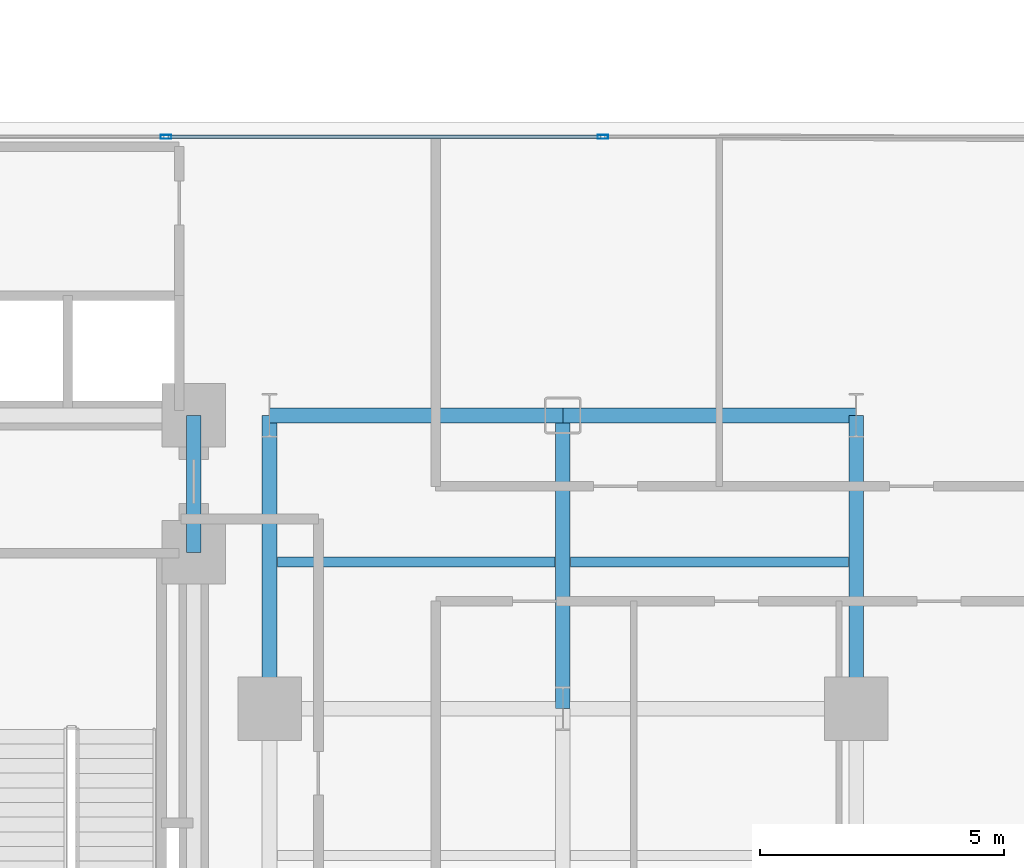
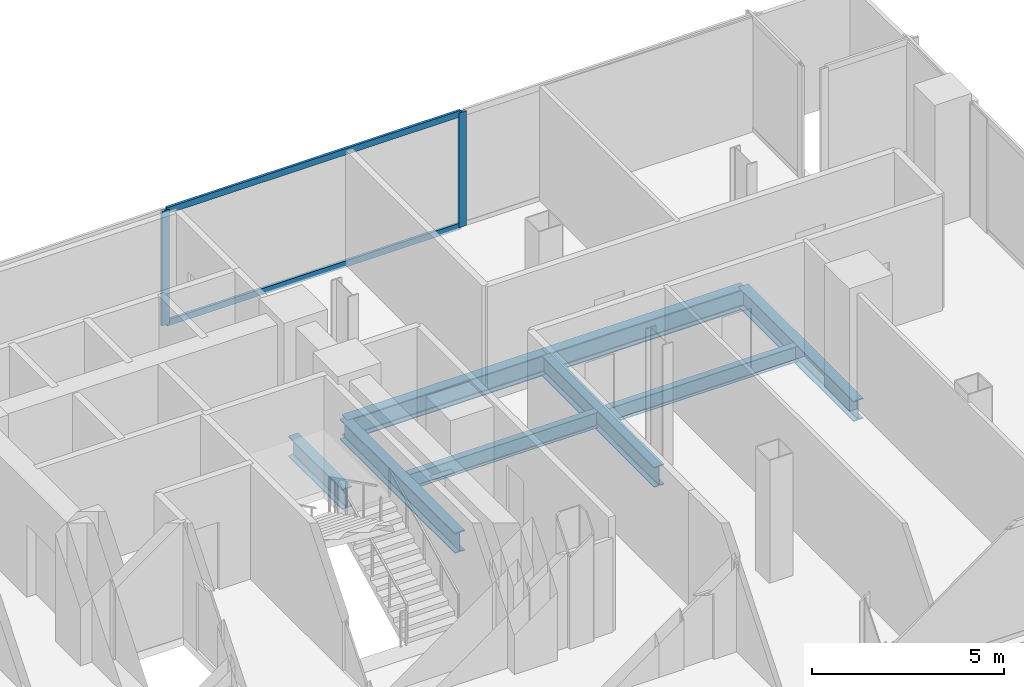
# One storey, part 11 of 25: 8 beams, 4 members, 1 element without a shape of its own.
"""IFC4 building model written with IfcOpenShell, lengths in metres."""

import ifcopenshell
import ifcopenshell.guid

model = None  # the IFC model being written
_history = None  # IfcOwnerHistory: only IFC2X3 demands one
_inside = {}  # id of a spatial element -> (the spatial element, [elements in it])
_under = {}  # id of a project, library or spatial element -> (it, [spatial elements below it])
_declared = {}  # id of a project -> (the project, [libraries it declares])
_typed = {}  # id of a type object -> (the type object, [elements of that type])
_made_of = {}  # id of a material, layer set ... -> (it, [elements and type objects made of it])


def new_model(schema):
    """Start an empty IFC model of exactly this schema.

    Asked for "IFC4X3", IfcOpenShell would pick the latest addendum, in which some entities
    have other attributes; the version numbers below select the first issue.
    IFC2X3 requires an IfcOwnerHistory on every rooted entity: one is made here for all.
    """
    global model, _history
    if schema == "IFC4X3":
        model = ifcopenshell.file(schema_version=(4, 3, 0, 0))
    else:
        model = ifcopenshell.file(schema=schema)
    _inside.clear()
    _under.clear()
    _declared.clear()
    _typed.clear()
    _made_of.clear()
    _history = None
    if model.schema == "IFC2X3":
        org = make("IfcOrganization", Name="unknown")
        user = make(
            "IfcPersonAndOrganization",
            ThePerson=make("IfcPerson", FamilyName="unknown"),
            TheOrganization=org,
        )
        app = make(
            "IfcApplication",
            ApplicationDeveloper=org,
            Version="unknown",
            ApplicationFullName="unknown",
            ApplicationIdentifier="unknown",
        )
        _history = make(
            "IfcOwnerHistory",
            OwningUser=user,
            OwningApplication=app,
            ChangeAction="ADDED",
            CreationDate=0,
        )
    return model


def make(cls, **values):
    """One entity of the class cls with the attributes given. An attribute that is None is left unset."""
    return model.create_entity(
        cls, **{name: value for name, value in values.items() if value is not None}
    )


def rooted(cls, **values):
    """An entity with a GlobalId (a new one), such as an element, a storey or a relation."""
    return make(cls, GlobalId=ifcopenshell.guid.new(), OwnerHistory=_history, **values)


def si_unit(unit_type, name, prefix=None):
    """IfcSIUnit, for example si_unit("LENGTHUNIT", "METRE", prefix="MILLI")."""
    return make("IfcSIUnit", UnitType=unit_type, Prefix=prefix, Name=name)


def assignment(units):
    """IfcUnitAssignment: the units of a project."""
    return None if units is None else make("IfcUnitAssignment", Units=units)


def point(xyz):
    """IfcCartesianPoint."""
    return None if xyz is None else make("IfcCartesianPoint", Coordinates=xyz)


def direction(xyz):
    """IfcDirection."""
    return None if xyz is None else make("IfcDirection", DirectionRatios=xyz)


def frame(location, z_axis=None, x_axis=None):
    """IfcAxis2Placement3D, a coordinate frame: its origin and axes. An axis left out is left unset."""
    return make(
        "IfcAxis2Placement3D",
        Location=point(location),
        Axis=direction(z_axis),
        RefDirection=direction(x_axis),
    )


def frame_2d(location, x_axis=None):
    """IfcAxis2Placement2D, a coordinate frame in the plane: its origin and x axis."""
    return make(
        "IfcAxis2Placement2D", Location=point(location), RefDirection=direction(x_axis)
    )


def origin():
    """The frame at (0, 0, 0) with its axes left unset."""
    return frame((0.0, 0.0, 0.0))


def origin_2d():
    """The frame at (0, 0) in the plane with its x axis left unset."""
    return frame_2d((0.0, 0.0))


def place(relative_to, where):
    """IfcLocalPlacement: puts the frame where relative to a parent placement (None: the world)."""
    return make(
        "IfcLocalPlacement", PlacementRelTo=relative_to, RelativePlacement=where
    )


def context(
    kind, dimensions, precision=None, world=None, true_north=None, identifier=None
):
    """IfcGeometricRepresentationContext, for example the 3D "Model" context."""
    return make(
        "IfcGeometricRepresentationContext",
        ContextIdentifier=identifier,
        ContextType=kind,
        CoordinateSpaceDimension=dimensions,
        Precision=precision,
        WorldCoordinateSystem=world,
        TrueNorth=true_north,
    )


def subcontext(parent, identifier, kind, view, scale=None):
    """IfcGeometricRepresentationSubContext, for example "Body" below "Model"."""
    return make(
        "IfcGeometricRepresentationSubContext",
        ContextIdentifier=identifier,
        ContextType=kind,
        ParentContext=parent,
        TargetScale=scale,
        TargetView=view,
    )


def project(units=None, contexts=None):
    """IfcProject with its units and contexts."""
    return rooted(
        "IfcProject",
        Name="project",
        RepresentationContexts=contexts,
        UnitsInContext=assignment(units),
    )


def spatial(cls, under=None, at=None, **own):
    """A site, building, storey or space (cls), placed at a placement, below another one or the project."""
    s = rooted(cls, ObjectPlacement=at, **own)
    if under is not None:
        _under.setdefault(under.id(), (under, []))[1].append(s)
    return s


def profile(cls, at=None, kind="AREA", **sizes):
    """A parametric profile (cls). Its sizes go by their IFC names, for example OverallWidth=200.0."""
    return make(cls, ProfileType=kind, Position=at, **sizes)


def hollow_rectangle(**sizes):
    """IfcRectangleHollowProfileDef."""
    return profile("IfcRectangleHollowProfileDef", **sizes)


def i_section(**sizes):
    """IfcIShapeProfileDef."""
    return profile("IfcIShapeProfileDef", **sizes)


def extrude(swept, where, along, depth):
    """IfcExtrudedAreaSolid: the profile swept, set in the frame where, extruded along a direction by depth."""
    return make(
        "IfcExtrudedAreaSolid",
        SweptArea=swept,
        Position=where,
        ExtrudedDirection=direction(along),
        Depth=depth,
    )


def shape(context_of_items, identifier, shape_type, items):
    """IfcShapeRepresentation: the items that make up one representation, for example the "Body"."""
    return make(
        "IfcShapeRepresentation",
        ContextOfItems=context_of_items,
        RepresentationIdentifier=identifier,
        RepresentationType=shape_type,
        Items=items,
    )


def material(Name=None, Category=None):
    """IfcMaterial."""
    return make("IfcMaterial", Name=Name, Category=Category)


def layer(
    of_material, thickness, ventilated=None, Name=None, Category=None, Priority=None
):
    """IfcMaterialLayer: one layer of a wall or slab, of a material (None: an air gap)."""
    return make(
        "IfcMaterialLayer",
        Material=of_material,
        LayerThickness=thickness,
        IsVentilated=ventilated,
        Name=Name,
        Category=Category,
        Priority=Priority,
    )


def layer_set(layers, Name=None):
    """IfcMaterialLayerSet."""
    return make("IfcMaterialLayerSet", MaterialLayers=layers, LayerSetName=Name)


def material_profile(
    of_material, cross_section, Name=None, Category=None, Priority=None
):
    """IfcMaterialProfile: a cross section and its material."""
    return make(
        "IfcMaterialProfile",
        Name=Name,
        Material=of_material,
        Profile=cross_section,
        Priority=Priority,
        Category=Category,
    )


def profile_set(profiles, Name=None, composite=None):
    """IfcMaterialProfileSet."""
    return make(
        "IfcMaterialProfileSet",
        Name=Name,
        MaterialProfiles=profiles,
        CompositeProfile=composite,
    )


def made_of(thing, what):
    """Note that an element or type object is made of a material, layer set ...; save() writes the relation."""
    if what is not None:
        _made_of.setdefault(what.id(), (what, []))[1].append(thing)
    return thing


def type_object(cls, material=None, **own):
    """A type object (cls), such as IfcWallType, which elements share."""
    return made_of(rooted(cls, **own), material)


def element(
    cls,
    number,
    at=None,
    inside=None,
    cuts=None,
    type_object=None,
    material=None,
    context=None,
    identifier="Body",
    shape_type=None,
    held_by="IfcProductDefinitionShape",
    body=None,
    shapes=None,
    **own,
):
    """One element of the class cls, such as IfcWall. Its Tag is "e" and its number.

    at: its placement. inside: the storey or other place that contains it. cuts: it is an
    opening in that element (IfcRelVoidsElement). A single representation is given by context,
    identifier, shape_type and body (its items); several are given by shapes. held_by: the class
    of the entity that holds the representations. save() writes the other relations.
    """
    e = rooted(cls, Tag="e%d" % number, ObjectPlacement=at, **own)
    if body is not None:
        shapes = [shape(context, identifier, shape_type, body)]
    if shapes is not None:
        e.Representation = make(held_by, Representations=shapes)
    if inside is not None:
        _inside.setdefault(inside.id(), (inside, []))[1].append(e)
    if cuts is not None:
        rooted(
            "IfcRelVoidsElement", RelatingBuildingElement=cuts, RelatedOpeningElement=e
        )
    if type_object is not None:
        _typed.setdefault(type_object.id(), (type_object, []))[1].append(e)
    return made_of(e, material)


def aggregate(whole, parts):
    """IfcRelAggregates: a whole, such as a stair, and the parts it consists of."""
    return rooted("IfcRelAggregates", RelatingObject=whole, RelatedObjects=parts)


def save(model, path):
    """Write the relations noted so far, then the file.

    IfcRelAggregates (storeys below a building ...), IfcRelContainedInSpatialStructure (elements
    in a storey), IfcRelDefinesByType, IfcRelAssociatesMaterial and IfcRelDeclares: one each for
    every whole, place, type object, material and project.
    """
    for whole, parts in _under.values():
        aggregate(whole, parts)
    for where, things in _inside.values():
        rooted(
            "IfcRelContainedInSpatialStructure",
            RelatedElements=things,
            RelatingStructure=where,
        )
    for kind, things in _typed.values():
        rooted("IfcRelDefinesByType", RelatedObjects=things, RelatingType=kind)
    for what, things in _made_of.values():
        rooted("IfcRelAssociatesMaterial", RelatedObjects=things, RelatingMaterial=what)
    for by, libraries in _declared.values():
        rooted("IfcRelDeclares", RelatingContext=by, RelatedDefinitions=libraries)
    model.write(path)


model = new_model("IFC4")

# Units and contexts
model_context = context("Model", 3, precision=1e-05, world=origin(), true_north=direction((0.0, 1.0)))
body_context = subcontext(model_context, "Body", "Model", "MODEL_VIEW")
ifc_project = project(units=[si_unit("LENGTHUNIT", "METRE"), si_unit("AREAUNIT", "SQUARE_METRE"), si_unit("VOLUMEUNIT", "CUBIC_METRE"), si_unit("PLANEANGLEUNIT", "RADIAN"), si_unit("MASSUNIT", "GRAM", prefix="KILO"), si_unit("THERMODYNAMICTEMPERATUREUNIT", "KELVIN"), si_unit("POWERUNIT", "WATT")], contexts=[model_context])

# Site, building, storey
site_placement = place(None, origin())
site = spatial("IfcSite", under=ifc_project, at=site_placement, CompositionType="ELEMENT")
building_placement = place(site_placement, origin())
building = spatial("IfcBuilding", under=site, at=building_placement, Name="Svarakhadi Broadcast Tower", CompositionType="ELEMENT")
storey_placement = place(building_placement, frame((0.0, 0.0, 48.0)))
storey = spatial("IfcBuildingStorey", under=building, at=storey_placement, Name="L10", CompositionType="ELEMENT", Elevation=48.0)

# Beams
ifc_material_1 = material(Name="Steel S355J2 (IS 2062 E350C)", Category="steel")
ifc_material_profile_1 = material_profile(ifc_material_1, i_section(OverallWidth=0.199951171875, OverallDepth=0.5, WebThickness=0.01025390625, FlangeThickness=0.01611328125, FilletRadius=0.02099609375, at=origin_2d()), Name="NPB 500x200x91")
ifc_profile_set_1 = profile_set([ifc_material_profile_1], Name="Steel S355J2 (IS 2062 E350C)")
beam_type_1 = type_object("IfcBeamType", Name="Beam_NPB500", PredefinedType="BEAM", material=ifc_profile_set_1)
for number, where, z_axis, x_axis, name in (
    (1, (35.31005859375, 15.0, -0.5), (1.0, 0.0, 0.0), (0.0, 1.0, 0.0), "L10 Secondary Composite Beam SB024"),
    (2, (41.31005859375, 15.0, -0.5), (1.0, 0.0, 0.0), (0.0, 1.0, 0.0), "L10 Secondary Composite Beam SB027"),
):
    element("IfcBeam", number, at=place(storey_placement, frame(where, z_axis=z_axis, x_axis=x_axis)), inside=storey, type_object=beam_type_1, Name=name, PredefinedType="BEAM", context=body_context, shape_type="SweptSolid", body=[
        extrude(i_section(OverallWidth=0.199951171875, OverallDepth=0.5, WebThickness=0.01025390625, FlangeThickness=0.01611328125, FilletRadius=0.02099609375, at=origin_2d()), origin(), (0.0, 0.0, 1.0), 5.679931640625),
    ])

# Curtain wall, members
ifc_material_2 = material(Name="Anodised Bronze Aluminium AA 6063-T6", Category="aluminium")
ifc_layer = layer(ifc_material_2, 0.219970703125)
ifc_layer_set = layer_set([ifc_layer], Name="Anodised Bronze Aluminium AA 6063-T6")
curtain_wall_type = type_object("IfcCurtainWallType", Name="CW_Sys_02", PredefinedType="NOTDEFINED", material=ifc_layer_set)
curtain_wall_placement = place(storey_placement, origin())
curtain_wall = element("IfcCurtainWall", 3, at=curtain_wall_placement, inside=storey, type_object=curtain_wall_type, Name="L10 Unitised Facade Curtain Wall 10", PredefinedType="NOTDEFINED")
ifc_material_profile_2 = material_profile(ifc_material_2, hollow_rectangle(XDim=0.0849609375, YDim=0.219970703125, WallThickness=0.006103515625, at=origin_2d()), Name="ALU MULLION 220x85x6")
ifc_profile_set_2 = profile_set([ifc_material_profile_2], Name="Anodised Bronze Aluminium AA 6063-T6")
member_type_1 = type_object("IfcMemberType", Name="CW_Sys_02_Mul", PredefinedType="MULLION", material=ifc_profile_set_2)
member_1_placement = place(storey_placement, frame((33.030029296875, 23.699951171875, 0.0), z_axis=(0.0, 0.0, 1.0), x_axis=(0.0, 1.0, 0.0)))
member_1 = element("IfcMember", 4, at=member_1_placement, type_object=member_type_1, Name="CW-02 mullion 2", PredefinedType="MULLION", context=body_context, shape_type="SweptSolid", body=[
    extrude(hollow_rectangle(XDim=0.0849609375, YDim=0.219970703125, WallThickness=0.006103515625, at=origin_2d()), origin(), (0.0, 0.0, 1.0), 3.64990234375),
])
member_2_placement = place(storey_placement, frame((41.969970703125, 23.699951171875, 0.0), z_axis=(0.0, 0.0, 1.0), x_axis=(0.0, 1.0, 0.0)))
member_2 = element("IfcMember", 5, at=member_2_placement, type_object=member_type_1, Name="CW-02 mullion 3", PredefinedType="MULLION", context=body_context, shape_type="SweptSolid", body=[
    extrude(hollow_rectangle(XDim=0.0849609375, YDim=0.219970703125, WallThickness=0.006103515625, at=origin_2d()), origin(), (0.0, 0.0, 1.0), 3.64990234375),
])
ifc_material_profile_3 = material_profile(ifc_material_2, hollow_rectangle(XDim=0.074951171875, YDim=0.199951171875, WallThickness=0.0048828125, at=origin_2d()), Name="ALU TRANSOM 200x75x5")
ifc_profile_set_3 = profile_set([ifc_material_profile_3], Name="Anodised Bronze Aluminium AA 6063-T6")
member_type_2 = type_object("IfcMemberType", Name="CW_Sys_02_Trn", PredefinedType="USERDEFINED", material=ifc_profile_set_3)
member_3_placement = place(storey_placement, frame((33.072509765625, 23.699951171875, 0.03759765625), z_axis=(1.0, 0.0, 0.0), x_axis=(0.0, 1.0, 0.0)))
member_3 = element("IfcMember", 6, at=member_3_placement, type_object=member_type_2, Name="CW-02 transom 2.1", ObjectType="TRANSOM", PredefinedType="USERDEFINED", context=body_context, shape_type="SweptSolid", body=[
    extrude(hollow_rectangle(XDim=0.074951171875, YDim=0.199951171875, WallThickness=0.0048828125, at=origin_2d()), origin(), (0.0, 0.0, 1.0), 8.85498046875),
])
member_4_placement = place(storey_placement, frame((33.072509765625, 23.699951171875, 3.612548828125), z_axis=(1.0, 0.0, 0.0), x_axis=(0.0, 1.0, 0.0)))
member_4 = element("IfcMember", 7, at=member_4_placement, type_object=member_type_2, Name="CW-02 transom 2.2", ObjectType="TRANSOM", PredefinedType="USERDEFINED", context=body_context, shape_type="SweptSolid", body=[
    extrude(hollow_rectangle(XDim=0.074951171875, YDim=0.199951171875, WallThickness=0.0048828125, at=origin_2d()), origin(), (0.0, 0.0, 1.0), 8.85498046875),
])
aggregate(curtain_wall, [member_1, member_2, member_3, member_4])

# Beams
ifc_material_profile_4 = material_profile(ifc_material_1, i_section(OverallWidth=0.300048828125, OverallDepth=0.64990234375, WebThickness=0.01611328125, FlangeThickness=0.031005859375, FilletRadius=0.027099609375, at=origin_2d()), Name="WPB 650x300x225")
ifc_profile_set_4 = profile_set([ifc_material_profile_4], Name="Steel S355J2 (IS 2062 E350C)")
beam_type_2 = type_object("IfcBeamType", Name="Girder_WPB650", PredefinedType="USERDEFINED", material=ifc_profile_set_4)
for number, where, z_axis, x_axis, name in (
    (8, (35.14990234375, 18.0, -0.574951171875), (1.0, 0.0, 0.0), (0.0, 1.0, 0.0), "L10 Primary E-W Girder G030"),
    (9, (41.14990234375, 18.0, -0.574951171875), (1.0, 0.0, 0.0), (0.0, 1.0, 0.0), "L10 Primary E-W Girder G031"),
):
    element("IfcBeam", number, at=place(storey_placement, frame(where, z_axis=z_axis, x_axis=x_axis)), inside=storey, type_object=beam_type_2, Name=name, ObjectType="GIRDER", PredefinedType="USERDEFINED", context=body_context, shape_type="SweptSolid", body=[
        extrude(i_section(OverallWidth=0.300048828125, OverallDepth=0.64990234375, WebThickness=0.01611328125, FlangeThickness=0.031005859375, FilletRadius=0.027099609375, at=origin_2d()), origin(), (0.0, 0.0, 1.0), 6.0),
    ])
beam_placement = place(storey_placement, frame((33.60009765625, 15.199951171875, -0.574951171875), z_axis=(0.0, 1.0, 0.0), x_axis=(-1.0, 0.0, 0.0)))
element("IfcBeam", 10, at=beam_placement, inside=storey, type_object=beam_type_2, Name="L10 Primary N-S Girder G075", ObjectType="GIRDER", PredefinedType="USERDEFINED", context=body_context, shape_type="SweptSolid", body=[
    extrude(i_section(OverallWidth=0.300048828125, OverallDepth=0.64990234375, WebThickness=0.01611328125, FlangeThickness=0.031005859375, FilletRadius=0.027099609375, at=origin_2d()), origin(), (0.0, 0.0, 1.0), 2.800048828125),
])
for number, where, z_axis, x_axis, name in (
    (11, (35.14990234375, 12.0, -0.574951171875), (0.0, 1.0, 0.0), (-1.0, 0.0, 0.0), "L10 Primary N-S Girder G078"),
    (12, (41.14990234375, 12.0, -0.574951171875), (0.0, 1.0, 0.0), (-1.0, 0.0, 0.0), "L10 Primary N-S Girder G081"),
    (13, (47.14990234375, 12.0, -0.574951171875), (0.0, 1.0, 0.0), (-1.0, 0.0, 0.0), "L10 Primary N-S Girder G084"),
):
    element("IfcBeam", number, at=place(storey_placement, frame(where, z_axis=z_axis, x_axis=x_axis)), inside=storey, type_object=beam_type_2, Name=name, ObjectType="GIRDER", PredefinedType="USERDEFINED", context=body_context, shape_type="SweptSolid", body=[
        extrude(i_section(OverallWidth=0.300048828125, OverallDepth=0.64990234375, WebThickness=0.01611328125, FlangeThickness=0.031005859375, FilletRadius=0.027099609375, at=origin_2d()), origin(), (0.0, 0.0, 1.0), 6.0),
    ])

save(model, "model.ifc")
